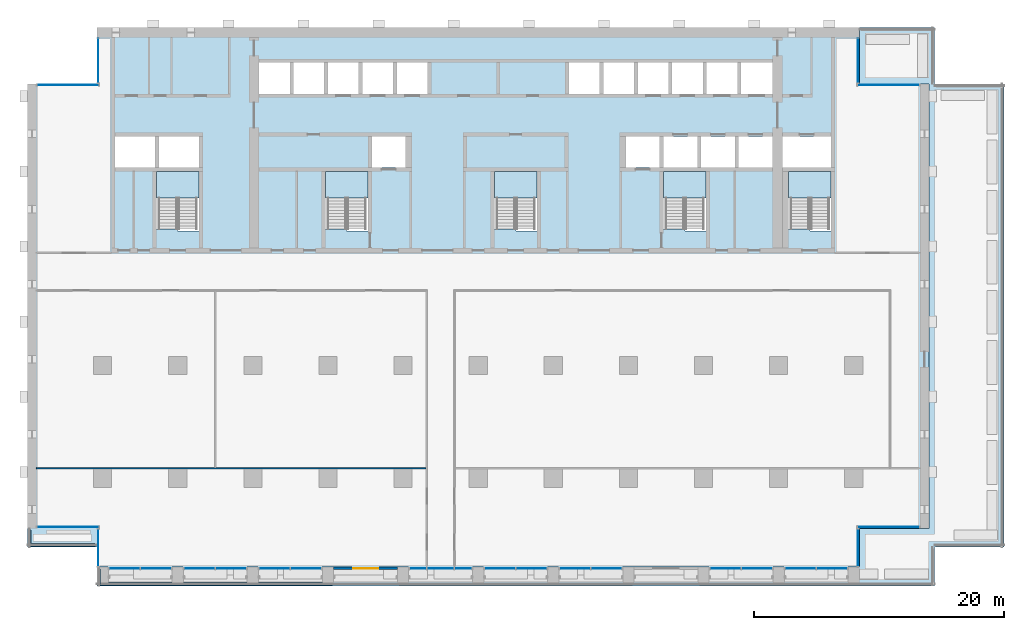
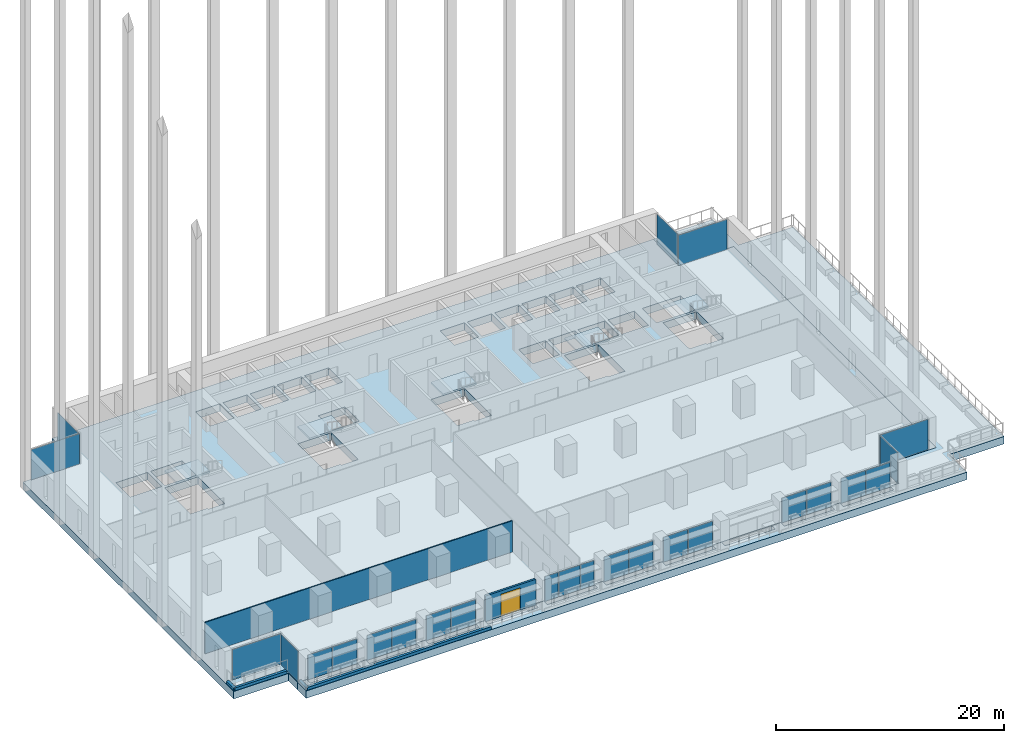
# One storey, part 7 of 18: 25 plates, 7 slabs, 6 walls, 1 door, 1 opening, 21 elements without a shape of their own.
"""IFC4 building model written with IfcOpenShell, lengths in metres."""

from ifc_helpers import new_model, si_unit, direction, frame, frame_2d, origin, origin_2d, place, context, subcontext, project, spatial, polyline, rectangle, outline, extrude, material, layer, layer_set, type_object, element, fill, aggregate, save


model = new_model("IFC4")

# Units and contexts
model_context = context("Model", 3, precision=1e-05, world=origin(), true_north=direction((0.0, 1.0)))
body_context = subcontext(model_context, "Body", "Model", "MODEL_VIEW")
ifc_project = project(units=[si_unit("LENGTHUNIT", "METRE"), si_unit("AREAUNIT", "SQUARE_METRE"), si_unit("VOLUMEUNIT", "CUBIC_METRE"), si_unit("PLANEANGLEUNIT", "RADIAN"), si_unit("MASSUNIT", "GRAM", prefix="KILO")], contexts=[model_context])

# Site, building, storey
site_placement = place(None, origin())
site = spatial("IfcSite", under=ifc_project, at=site_placement, CompositionType="ELEMENT")
building_placement = place(site_placement, origin())
building = spatial("IfcBuilding", under=site, at=building_placement, Name="Calvaro Tower", CompositionType="ELEMENT")
storey_placement = place(building_placement, frame((0.0, 0.0, 95.0)))
storey = spatial("IfcBuildingStorey", under=building, at=storey_placement, Name="L23", CompositionType="ELEMENT", Elevation=95.0)

# Slab
ifc_material_1 = material(Name="Concrete C40/50", Category="concrete")
ifc_layer_1 = layer(ifc_material_1, 0.800048828125)
ifc_layer_set_1 = layer_set([ifc_layer_1], Name="Concrete C40/50")
slab_type_1 = type_object("IfcSlabType", Name="Floor slab 800 C40/50", PredefinedType="FLOOR", material=ifc_layer_set_1)
slab_1_placement = place(storey_placement, frame((0.0, 0.0, -0.800048828125)))
element("IfcSlab", 1, at=slab_1_placement, inside=storey, type_object=slab_type_1, Name="Floor slab", PredefinedType="FLOOR", context=body_context, shape_type="SweptSolid", body=[
    extrude(outline(polyline([(0.0, 6.0), (0.0, 41.5), (5.550048828125, 41.5), (5.550048828125, 46.0), (66.449951171875, 46.0), (66.449951171875, 41.5), (72.0, 41.5), (72.0, 6.0), (66.449951171875, 6.0), (66.449951171875, 2.89990234375), (5.550048828125, 2.89990234375), (5.550048828125, 4.5), (0.0, 4.5), (0.0, 6.0)]), holes=[polyline([(13.699951171875, 34.5), (13.699951171875, 29.760009765625), (12.0, 29.760009765625), (12.0, 29.909912109375), (10.300048828125, 29.909912109375), (10.300048828125, 34.5), (12.0, 34.5), (13.699951171875, 34.5)]), polyline([(27.199951171875, 34.5), (27.199951171875, 29.760009765625), (25.5, 29.760009765625), (25.5, 29.909912109375), (23.800048828125, 29.909912109375), (23.800048828125, 34.5), (25.5, 34.5), (27.199951171875, 34.5)]), polyline([(40.699951171875, 34.5), (40.699951171875, 29.760009765625), (39.0, 29.760009765625), (39.0, 29.909912109375), (37.300048828125, 29.909912109375), (37.300048828125, 34.5), (39.0, 34.5), (40.699951171875, 34.5)]), polyline([(54.199951171875, 34.5), (54.199951171875, 29.760009765625), (52.5, 29.760009765625), (52.5, 29.909912109375), (50.800048828125, 29.909912109375), (50.800048828125, 34.5), (52.5, 34.5), (54.199951171875, 34.5)]), polyline([(64.199951171875, 34.5), (64.199951171875, 29.760009765625), (62.5, 29.760009765625), (62.5, 29.909912109375), (60.800048828125, 29.909912109375), (60.800048828125, 34.5), (62.5, 34.5), (64.199951171875, 34.5)]), polyline([(50.800048828125, 34.800048828125), (53.5, 34.800048828125), (53.5, 37.300048828125), (50.800048828125, 37.300048828125), (50.800048828125, 34.800048828125)]), polyline([(53.800048828125, 34.800048828125), (56.5, 34.800048828125), (56.5, 37.300048828125), (53.800048828125, 37.300048828125), (53.800048828125, 34.800048828125)]), polyline([(56.800048828125, 34.800048828125), (59.5, 34.800048828125), (59.5, 37.300048828125), (56.800048828125, 37.300048828125), (56.800048828125, 34.800048828125)]), polyline([(18.5, 40.699951171875), (20.949951171875, 40.699951171875), (20.949951171875, 43.199951171875), (18.5, 43.199951171875), (18.5, 40.699951171875)]), polyline([(21.25, 40.699951171875), (23.699951171875, 40.699951171875), (23.699951171875, 43.199951171875), (21.25, 43.199951171875), (21.25, 40.699951171875)]), polyline([(24.0, 40.699951171875), (26.449951171875, 40.699951171875), (26.449951171875, 43.199951171875), (24.0, 43.199951171875), (24.0, 40.699951171875)]), polyline([(26.75, 40.699951171875), (29.199951171875, 40.699951171875), (29.199951171875, 43.199951171875), (26.75, 43.199951171875), (26.75, 40.699951171875)]), polyline([(29.5, 40.699951171875), (31.949951171875, 40.699951171875), (31.949951171875, 43.199951171875), (29.5, 43.199951171875), (29.5, 40.699951171875)]), polyline([(43.25, 40.699951171875), (45.699951171875, 40.699951171875), (45.699951171875, 43.199951171875), (43.25, 43.199951171875), (43.25, 40.699951171875)]), polyline([(46.0, 40.699951171875), (48.449951171875, 40.699951171875), (48.449951171875, 43.199951171875), (46.0, 43.199951171875), (46.0, 40.699951171875)]), polyline([(48.75, 40.699951171875), (51.199951171875, 40.699951171875), (51.199951171875, 43.199951171875), (48.75, 43.199951171875), (48.75, 40.699951171875)]), polyline([(51.5, 40.699951171875), (53.949951171875, 40.699951171875), (53.949951171875, 43.199951171875), (51.5, 43.199951171875), (51.5, 40.699951171875)]), polyline([(54.25, 40.699951171875), (56.699951171875, 40.699951171875), (56.699951171875, 43.199951171875), (54.25, 43.199951171875), (54.25, 40.699951171875)]), polyline([(57.0, 40.699951171875), (59.5, 40.699951171875), (59.5, 43.199951171875), (57.0, 43.199951171875), (57.0, 40.699951171875)]), polyline([(7.0, 34.800048828125), (10.199951171875, 34.800048828125), (10.199951171875, 37.300048828125), (7.0, 37.300048828125), (7.0, 34.800048828125)]), polyline([(10.5, 34.800048828125), (13.699951171875, 34.800048828125), (13.699951171875, 37.300048828125), (10.5, 37.300048828125), (10.5, 34.800048828125)]), polyline([(60.300048828125, 34.800048828125), (64.199951171875, 34.800048828125), (64.199951171875, 37.300048828125), (60.300048828125, 37.300048828125), (60.300048828125, 34.800048828125)]), polyline([(27.5, 34.800048828125), (30.199951171875, 34.800048828125), (30.199951171875, 37.300048828125), (27.5, 37.300048828125), (27.5, 34.800048828125)]), polyline([(47.800048828125, 34.800048828125), (50.5, 34.800048828125), (50.5, 37.300048828125), (47.800048828125, 37.300048828125), (47.800048828125, 34.800048828125)])]), origin(), (0.0, 0.0, 1.0), 0.800048828125),
])

# Curtain wall, plates
ifc_material_2 = material(Name="Anodised aluminium", Category="aluminium")
curtain_wall_type = type_object("IfcCurtainWallType", Name="Office curtain wall, middle zone", PredefinedType="NOTDEFINED", material=ifc_material_2)
curtain_wall_1_placement = place(storey_placement, origin())
curtain_wall_1 = element("IfcCurtainWall", 2, at=curtain_wall_1_placement, inside=storey, type_object=curtain_wall_type, Name="CW2 south curtain wall", PredefinedType="NOTDEFINED")
ifc_material_3 = material(Name="Glass", Category="glass")
ifc_layer_2 = layer(ifc_material_3, 0.031982421875)
ifc_layer_set_2 = layer_set([ifc_layer_2], Name="Glass")
plate_type = type_object("IfcPlateType", Name="Glass panel S2 32", PredefinedType="CURTAIN_PANEL", material=ifc_layer_set_2)
plate_1_placement = place(storey_placement, frame((7.742431640625, 2.800048828125, 0.0), z_axis=(0.0, 0.0, 1.0), x_axis=(1.0, 0.0, 0.0)))
plate_1 = element("IfcPlate", 3, at=plate_1_placement, type_object=plate_type, Name="CW2 glass panel 1.1", PredefinedType="CURTAIN_PANEL", context=body_context, shape_type="SweptSolid", body=[
    extrude(rectangle(XDim=2.445068359375, YDim=0.031982421875, at=origin_2d()), origin(), (0.0, 0.0, 1.0), 2.64990234375),
])
plate_2_placement = place(storey_placement, frame((10.257568359375, 2.800048828125, 0.0), z_axis=(0.0, 0.0, 1.0), x_axis=(1.0, 0.0, 0.0)))
plate_2 = element("IfcPlate", 4, at=plate_2_placement, type_object=plate_type, Name="CW2 glass panel 2.1", PredefinedType="CURTAIN_PANEL", context=body_context, shape_type="SweptSolid", body=[
    extrude(rectangle(XDim=2.445068359375, YDim=0.031982421875, at=origin_2d()), origin(), (0.0, 0.0, 1.0), 2.64990234375),
])
aggregate(curtain_wall_1, [plate_1, plate_2])

curtain_wall_2_placement = place(storey_placement, origin())
curtain_wall_2 = element("IfcCurtainWall", 5, at=curtain_wall_2_placement, inside=storey, type_object=curtain_wall_type, Name="CW2 south curtain wall", PredefinedType="NOTDEFINED")
plate_3_placement = place(storey_placement, frame((13.742431640625, 2.800048828125, 0.0), z_axis=(0.0, 0.0, 1.0), x_axis=(1.0, 0.0, 0.0)))
plate_3 = element("IfcPlate", 6, at=plate_3_placement, type_object=plate_type, Name="CW2 glass panel 1.1", PredefinedType="CURTAIN_PANEL", context=body_context, shape_type="SweptSolid", body=[
    extrude(rectangle(XDim=2.445068359375, YDim=0.031982421875, at=origin_2d()), origin(), (0.0, 0.0, 1.0), 2.64990234375),
])
plate_4_placement = place(storey_placement, frame((16.257568359375, 2.800048828125, 0.0), z_axis=(0.0, 0.0, 1.0), x_axis=(1.0, 0.0, 0.0)))
plate_4 = element("IfcPlate", 7, at=plate_4_placement, type_object=plate_type, Name="CW2 glass panel 2.1", PredefinedType="CURTAIN_PANEL", context=body_context, shape_type="SweptSolid", body=[
    extrude(rectangle(XDim=2.445068359375, YDim=0.031982421875, at=origin_2d()), origin(), (0.0, 0.0, 1.0), 2.64990234375),
])
aggregate(curtain_wall_2, [plate_3, plate_4])

curtain_wall_3_placement = place(storey_placement, origin())
curtain_wall_3 = element("IfcCurtainWall", 8, at=curtain_wall_3_placement, inside=storey, type_object=curtain_wall_type, Name="CW2 south curtain wall", PredefinedType="NOTDEFINED")
plate_5_placement = place(storey_placement, frame((19.742431640625, 2.800048828125, 0.0), z_axis=(0.0, 0.0, 1.0), x_axis=(1.0, 0.0, 0.0)))
plate_5 = element("IfcPlate", 9, at=plate_5_placement, type_object=plate_type, Name="CW2 glass panel 1.1", PredefinedType="CURTAIN_PANEL", context=body_context, shape_type="SweptSolid", body=[
    extrude(rectangle(XDim=2.445068359375, YDim=0.031982421875, at=origin_2d()), origin(), (0.0, 0.0, 1.0), 2.64990234375),
])
plate_6_placement = place(storey_placement, frame((22.257568359375, 2.800048828125, 0.0), z_axis=(0.0, 0.0, 1.0), x_axis=(1.0, 0.0, 0.0)))
plate_6 = element("IfcPlate", 10, at=plate_6_placement, type_object=plate_type, Name="CW2 glass panel 2.1", PredefinedType="CURTAIN_PANEL", context=body_context, shape_type="SweptSolid", body=[
    extrude(rectangle(XDim=2.445068359375, YDim=0.031982421875, at=origin_2d()), origin(), (0.0, 0.0, 1.0), 2.64990234375),
])
aggregate(curtain_wall_3, [plate_5, plate_6])

curtain_wall_4_placement = place(storey_placement, origin())
curtain_wall_4 = element("IfcCurtainWall", 11, at=curtain_wall_4_placement, inside=storey, type_object=curtain_wall_type, Name="CW2 south curtain wall", PredefinedType="NOTDEFINED")
plate_7_placement = place(storey_placement, frame((31.1923828125, 2.800048828125, 0.0), z_axis=(0.0, 0.0, 1.0), x_axis=(1.0, 0.0, 0.0)))
plate_7 = element("IfcPlate", 12, at=plate_7_placement, type_object=plate_type, Name="CW2 glass panel 1.1", PredefinedType="CURTAIN_PANEL", context=body_context, shape_type="SweptSolid", body=[
    extrude(rectangle(XDim=1.344970703125, YDim=0.031982421875, at=origin_2d()), origin(), (0.0, 0.0, 1.0), 2.64990234375),
])
plate_8_placement = place(storey_placement, frame((33.0, 2.800048828125, 0.0), z_axis=(0.0, 0.0, 1.0), x_axis=(1.0, 0.0, 0.0)))
plate_8 = element("IfcPlate", 13, at=plate_8_placement, type_object=plate_type, Name="CW2 glass panel 2.1", PredefinedType="CURTAIN_PANEL", context=body_context, shape_type="SweptSolid", body=[
    extrude(rectangle(XDim=2.1298828125, YDim=0.031982421875, at=origin_2d()), origin(), (0.0, 0.0, 1.0), 2.64990234375),
])
plate_9_placement = place(storey_placement, frame((34.8076171875, 2.800048828125, 0.0), z_axis=(0.0, 0.0, 1.0), x_axis=(1.0, 0.0, 0.0)))
plate_9 = element("IfcPlate", 14, at=plate_9_placement, type_object=plate_type, Name="CW2 glass panel 3.1", PredefinedType="CURTAIN_PANEL", context=body_context, shape_type="SweptSolid", body=[
    extrude(rectangle(XDim=1.344970703125, YDim=0.031982421875, at=origin_2d()), origin(), (0.0, 0.0, 1.0), 2.64990234375),
])
aggregate(curtain_wall_4, [plate_7, plate_8, plate_9])

curtain_wall_5_placement = place(storey_placement, origin())
curtain_wall_5 = element("IfcCurtainWall", 15, at=curtain_wall_5_placement, inside=storey, type_object=curtain_wall_type, Name="CW2 south curtain wall", PredefinedType="NOTDEFINED")
plate_10_placement = place(storey_placement, frame((37.742431640625, 2.800048828125, 0.0), z_axis=(0.0, 0.0, 1.0), x_axis=(1.0, 0.0, 0.0)))
plate_10 = element("IfcPlate", 16, at=plate_10_placement, type_object=plate_type, Name="CW2 glass panel 1.1", PredefinedType="CURTAIN_PANEL", context=body_context, shape_type="SweptSolid", body=[
    extrude(rectangle(XDim=2.445068359375, YDim=0.031982421875, at=origin_2d()), origin(), (0.0, 0.0, 1.0), 2.64990234375),
])
plate_11_placement = place(storey_placement, frame((40.257568359375, 2.800048828125, 0.0), z_axis=(0.0, 0.0, 1.0), x_axis=(1.0, 0.0, 0.0)))
plate_11 = element("IfcPlate", 17, at=plate_11_placement, type_object=plate_type, Name="CW2 glass panel 2.1", PredefinedType="CURTAIN_PANEL", context=body_context, shape_type="SweptSolid", body=[
    extrude(rectangle(XDim=2.445068359375, YDim=0.031982421875, at=origin_2d()), origin(), (0.0, 0.0, 1.0), 2.64990234375),
])
aggregate(curtain_wall_5, [plate_10, plate_11])

curtain_wall_6_placement = place(storey_placement, origin())
curtain_wall_6 = element("IfcCurtainWall", 18, at=curtain_wall_6_placement, inside=storey, type_object=curtain_wall_type, Name="CW2 south curtain wall", PredefinedType="NOTDEFINED")
plate_12_placement = place(storey_placement, frame((43.742431640625, 2.800048828125, 0.0), z_axis=(0.0, 0.0, 1.0), x_axis=(1.0, 0.0, 0.0)))
plate_12 = element("IfcPlate", 19, at=plate_12_placement, type_object=plate_type, Name="CW2 glass panel 1.1", PredefinedType="CURTAIN_PANEL", context=body_context, shape_type="SweptSolid", body=[
    extrude(rectangle(XDim=2.445068359375, YDim=0.031982421875, at=origin_2d()), origin(), (0.0, 0.0, 1.0), 2.64990234375),
])
plate_13_placement = place(storey_placement, frame((46.257568359375, 2.800048828125, 0.0), z_axis=(0.0, 0.0, 1.0), x_axis=(1.0, 0.0, 0.0)))
plate_13 = element("IfcPlate", 20, at=plate_13_placement, type_object=plate_type, Name="CW2 glass panel 2.1", PredefinedType="CURTAIN_PANEL", context=body_context, shape_type="SweptSolid", body=[
    extrude(rectangle(XDim=2.445068359375, YDim=0.031982421875, at=origin_2d()), origin(), (0.0, 0.0, 1.0), 2.64990234375),
])
aggregate(curtain_wall_6, [plate_12, plate_13])

curtain_wall_7_placement = place(storey_placement, origin())
curtain_wall_7 = element("IfcCurtainWall", 21, at=curtain_wall_7_placement, inside=storey, type_object=curtain_wall_type, Name="CW2 south curtain wall", PredefinedType="NOTDEFINED")
plate_14_placement = place(storey_placement, frame((55.742431640625, 2.800048828125, 0.0), z_axis=(0.0, 0.0, 1.0), x_axis=(1.0, 0.0, 0.0)))
plate_14 = element("IfcPlate", 22, at=plate_14_placement, type_object=plate_type, Name="CW2 glass panel 1.1", PredefinedType="CURTAIN_PANEL", context=body_context, shape_type="SweptSolid", body=[
    extrude(rectangle(XDim=2.445068359375, YDim=0.031982421875, at=origin_2d()), origin(), (0.0, 0.0, 1.0), 2.64990234375),
])
plate_15_placement = place(storey_placement, frame((58.257568359375, 2.800048828125, 0.0), z_axis=(0.0, 0.0, 1.0), x_axis=(1.0, 0.0, 0.0)))
plate_15 = element("IfcPlate", 23, at=plate_15_placement, type_object=plate_type, Name="CW2 glass panel 2.1", PredefinedType="CURTAIN_PANEL", context=body_context, shape_type="SweptSolid", body=[
    extrude(rectangle(XDim=2.445068359375, YDim=0.031982421875, at=origin_2d()), origin(), (0.0, 0.0, 1.0), 2.64990234375),
])
aggregate(curtain_wall_7, [plate_14, plate_15])

curtain_wall_8_placement = place(storey_placement, origin())
curtain_wall_8 = element("IfcCurtainWall", 24, at=curtain_wall_8_placement, inside=storey, type_object=curtain_wall_type, Name="CW2 south curtain wall", PredefinedType="NOTDEFINED")
plate_16_placement = place(storey_placement, frame((61.742431640625, 2.800048828125, 0.0), z_axis=(0.0, 0.0, 1.0), x_axis=(1.0, 0.0, 0.0)))
plate_16 = element("IfcPlate", 25, at=plate_16_placement, type_object=plate_type, Name="CW2 glass panel 1.1", PredefinedType="CURTAIN_PANEL", context=body_context, shape_type="SweptSolid", body=[
    extrude(rectangle(XDim=2.445068359375, YDim=0.031982421875, at=origin_2d()), origin(), (0.0, 0.0, 1.0), 2.64990234375),
])
plate_17_placement = place(storey_placement, frame((64.257568359375, 2.800048828125, 0.0), z_axis=(0.0, 0.0, 1.0), x_axis=(1.0, 0.0, 0.0)))
plate_17 = element("IfcPlate", 26, at=plate_17_placement, type_object=plate_type, Name="CW2 glass panel 2.1", PredefinedType="CURTAIN_PANEL", context=body_context, shape_type="SweptSolid", body=[
    extrude(rectangle(XDim=2.445068359375, YDim=0.031982421875, at=origin_2d()), origin(), (0.0, 0.0, 1.0), 2.64990234375),
])
aggregate(curtain_wall_8, [plate_16, plate_17])

# Curtain wall, plate
curtain_wall_9_placement = place(storey_placement, origin())
curtain_wall_9 = element("IfcCurtainWall", 27, at=curtain_wall_9_placement, inside=storey, type_object=curtain_wall_type, Name="CW2 corner curtain wall", PredefinedType="NOTDEFINED")
plate_18_placement = place(storey_placement, frame((5.64990234375, 4.449951171875, 0.0), z_axis=(0.0, 0.0, 1.0), x_axis=(0.0, 1.0, 0.0)))
plate_18 = element("IfcPlate", 28, at=plate_18_placement, type_object=plate_type, Name="CW2 glass panel 1.1", PredefinedType="CURTAIN_PANEL", context=body_context, shape_type="SweptSolid", body=[
    extrude(rectangle(XDim=2.9599609375, YDim=0.031982421875, at=origin_2d()), origin(), (0.0, 0.0, 1.0), 3.25),
])
aggregate(curtain_wall_9, [plate_18])

curtain_wall_10_placement = place(storey_placement, origin())
curtain_wall_10 = element("IfcCurtainWall", 29, at=curtain_wall_10_placement, inside=storey, type_object=curtain_wall_type, Name="CW2 corner curtain wall", PredefinedType="NOTDEFINED")
plate_19_placement = place(storey_placement, frame((3.22509765625, 6.10009765625, 0.0), z_axis=(0.0, 0.0, 1.0), x_axis=(1.0, 0.0, 0.0)))
plate_19 = element("IfcPlate", 30, at=plate_19_placement, type_object=plate_type, Name="CW2 glass panel 1.1", PredefinedType="CURTAIN_PANEL", context=body_context, shape_type="SweptSolid", body=[
    extrude(rectangle(XDim=4.909912109375, YDim=0.031982421875, at=origin_2d()), origin(), (0.0, 0.0, 1.0), 3.25),
])
aggregate(curtain_wall_10, [plate_19])

curtain_wall_11_placement = place(storey_placement, origin())
curtain_wall_11 = element("IfcCurtainWall", 31, at=curtain_wall_11_placement, inside=storey, type_object=curtain_wall_type, Name="CW2 corner curtain wall", PredefinedType="NOTDEFINED")
plate_20_placement = place(storey_placement, frame((5.64990234375, 43.35009765625, 0.0), z_axis=(0.0, 0.0, 1.0), x_axis=(0.0, 1.0, 0.0)))
plate_20 = element("IfcPlate", 32, at=plate_20_placement, type_object=plate_type, Name="CW2 glass panel 1.1", PredefinedType="CURTAIN_PANEL", context=body_context, shape_type="SweptSolid", body=[
    extrude(rectangle(XDim=3.56005859375, YDim=0.031982421875, at=origin_2d()), origin(), (0.0, 0.0, 1.0), 3.25),
])
aggregate(curtain_wall_11, [plate_20])

curtain_wall_12_placement = place(storey_placement, origin())
curtain_wall_12 = element("IfcCurtainWall", 33, at=curtain_wall_12_placement, inside=storey, type_object=curtain_wall_type, Name="CW2 corner curtain wall", PredefinedType="NOTDEFINED")
plate_21_placement = place(storey_placement, frame((3.22509765625, 41.39990234375, 0.0), z_axis=(0.0, 0.0, 1.0), x_axis=(1.0, 0.0, 0.0)))
plate_21 = element("IfcPlate", 34, at=plate_21_placement, type_object=plate_type, Name="CW2 glass panel 1.1", PredefinedType="CURTAIN_PANEL", context=body_context, shape_type="SweptSolid", body=[
    extrude(rectangle(XDim=4.909912109375, YDim=0.031982421875, at=origin_2d()), origin(), (0.0, 0.0, 1.0), 3.25),
])
aggregate(curtain_wall_12, [plate_21])

curtain_wall_13_placement = place(storey_placement, origin())
curtain_wall_13 = element("IfcCurtainWall", 35, at=curtain_wall_13_placement, inside=storey, type_object=curtain_wall_type, Name="CW2 corner curtain wall", PredefinedType="NOTDEFINED")
plate_22_placement = place(storey_placement, frame((66.35009765625, 4.449951171875, 0.0), z_axis=(0.0, 0.0, 1.0), x_axis=(0.0, 1.0, 0.0)))
plate_22 = element("IfcPlate", 36, at=plate_22_placement, type_object=plate_type, Name="CW2 glass panel 1.1", PredefinedType="CURTAIN_PANEL", context=body_context, shape_type="SweptSolid", body=[
    extrude(rectangle(XDim=2.9599609375, YDim=0.031982421875, at=origin_2d()), origin(), (0.0, 0.0, 1.0), 3.25),
])
aggregate(curtain_wall_13, [plate_22])

curtain_wall_14_placement = place(storey_placement, origin())
curtain_wall_14 = element("IfcCurtainWall", 37, at=curtain_wall_14_placement, inside=storey, type_object=curtain_wall_type, Name="CW2 corner curtain wall", PredefinedType="NOTDEFINED")
plate_23_placement = place(storey_placement, frame((68.77490234375, 6.10009765625, 0.0), z_axis=(0.0, 0.0, 1.0), x_axis=(1.0, 0.0, 0.0)))
plate_23 = element("IfcPlate", 38, at=plate_23_placement, type_object=plate_type, Name="CW2 glass panel 1.1", PredefinedType="CURTAIN_PANEL", context=body_context, shape_type="SweptSolid", body=[
    extrude(rectangle(XDim=4.909912109375, YDim=0.031982421875, at=origin_2d()), origin(), (0.0, 0.0, 1.0), 3.25),
])
aggregate(curtain_wall_14, [plate_23])

curtain_wall_15_placement = place(storey_placement, origin())
curtain_wall_15 = element("IfcCurtainWall", 39, at=curtain_wall_15_placement, inside=storey, type_object=curtain_wall_type, Name="CW2 corner curtain wall", PredefinedType="NOTDEFINED")
plate_24_placement = place(storey_placement, frame((66.35009765625, 43.35009765625, 0.0), z_axis=(0.0, 0.0, 1.0), x_axis=(0.0, 1.0, 0.0)))
plate_24 = element("IfcPlate", 40, at=plate_24_placement, type_object=plate_type, Name="CW2 glass panel 1.1", PredefinedType="CURTAIN_PANEL", context=body_context, shape_type="SweptSolid", body=[
    extrude(rectangle(XDim=3.56005859375, YDim=0.031982421875, at=origin_2d()), origin(), (0.0, 0.0, 1.0), 3.25),
])
aggregate(curtain_wall_15, [plate_24])

curtain_wall_16_placement = place(storey_placement, origin())
curtain_wall_16 = element("IfcCurtainWall", 41, at=curtain_wall_16_placement, inside=storey, type_object=curtain_wall_type, Name="CW2 corner curtain wall", PredefinedType="NOTDEFINED")
plate_25_placement = place(storey_placement, frame((68.77490234375, 41.39990234375, 0.0), z_axis=(0.0, 0.0, 1.0), x_axis=(1.0, 0.0, 0.0)))
plate_25 = element("IfcPlate", 42, at=plate_25_placement, type_object=plate_type, Name="CW2 glass panel 1.1", PredefinedType="CURTAIN_PANEL", context=body_context, shape_type="SweptSolid", body=[
    extrude(rectangle(XDim=4.909912109375, YDim=0.031982421875, at=origin_2d()), origin(), (0.0, 0.0, 1.0), 3.25),
])
aggregate(curtain_wall_16, [plate_25])

# Stair, slab
ifc_material_4 = material(Name="Concrete C40/50", Category="concrete")
stair_type = type_object("IfcStairType", Name="Exit stair 1400 2 flights", PredefinedType="HALF_TURN_STAIR", material=ifc_material_4)
stair_1_placement = place(storey_placement, origin())
stair_1 = element("IfcStair", 43, at=stair_1_placement, inside=storey, type_object=stair_type, Name="Exit stair S1", PredefinedType="HALF_TURN_STAIR")
ifc_material_5 = material(Name="Concrete C40/50", Category="concrete")
ifc_layer_3 = layer(ifc_material_5, 0.199951171875)
ifc_layer_set_3 = layer_set([ifc_layer_3], Name="Concrete C40/50")
slab_type_2 = type_object("IfcSlabType", Name="Stair landing", PredefinedType="LANDING", material=ifc_layer_set_3)
slab_2_placement = place(storey_placement, frame((0.0, 0.0, 1.675048828125)))
slab_2 = element("IfcSlab", 44, at=slab_2_placement, type_object=slab_type_2, Name="Exit stair 1, landing 1", PredefinedType="LANDING", context=body_context, shape_type="SweptSolid", body=[
    extrude(outline(polyline([(11.89990234375, 32.389892578125), (10.5, 32.389892578125), (10.5, 32.39990234375), (10.300048828125, 32.39990234375), (10.300048828125, 34.5), (10.5, 34.5), (11.89990234375, 34.5), (12.10009765625, 34.5), (13.5, 34.5), (13.699951171875, 34.5), (13.699951171875, 32.39990234375), (13.5, 32.39990234375), (13.5, 32.389892578125), (12.10009765625, 32.389892578125), (12.10009765625, 32.39990234375), (11.89990234375, 32.39990234375), (11.89990234375, 32.389892578125)])), origin(), (0.0, 0.0, 1.0), 0.199951171875),
])
aggregate(stair_1, [slab_2])

stair_2_placement = place(storey_placement, origin())
stair_2 = element("IfcStair", 45, at=stair_2_placement, inside=storey, type_object=stair_type, Name="Exit stair S2", PredefinedType="HALF_TURN_STAIR")
slab_3_placement = place(storey_placement, frame((0.0, 0.0, 1.675048828125)))
slab_3 = element("IfcSlab", 46, at=slab_3_placement, type_object=slab_type_2, Name="Exit stair 2, landing 1", PredefinedType="LANDING", context=body_context, shape_type="SweptSolid", body=[
    extrude(outline(polyline([(25.39990234375, 32.389892578125), (24.0, 32.389892578125), (24.0, 32.39990234375), (23.800048828125, 32.39990234375), (23.800048828125, 34.5), (24.0, 34.5), (25.39990234375, 34.5), (25.60009765625, 34.5), (27.0, 34.5), (27.199951171875, 34.5), (27.199951171875, 32.39990234375), (27.0, 32.39990234375), (27.0, 32.389892578125), (25.60009765625, 32.389892578125), (25.60009765625, 32.39990234375), (25.39990234375, 32.39990234375), (25.39990234375, 32.389892578125)])), origin(), (0.0, 0.0, 1.0), 0.199951171875),
])
aggregate(stair_2, [slab_3])

stair_3_placement = place(storey_placement, origin())
stair_3 = element("IfcStair", 47, at=stair_3_placement, inside=storey, type_object=stair_type, Name="Exit stair S3", PredefinedType="HALF_TURN_STAIR")
slab_4_placement = place(storey_placement, frame((0.0, 0.0, 1.675048828125)))
slab_4 = element("IfcSlab", 48, at=slab_4_placement, type_object=slab_type_2, Name="Exit stair 3, landing 1", PredefinedType="LANDING", context=body_context, shape_type="SweptSolid", body=[
    extrude(outline(polyline([(38.89990234375, 32.389892578125), (37.5, 32.389892578125), (37.5, 32.39990234375), (37.300048828125, 32.39990234375), (37.300048828125, 34.5), (37.5, 34.5), (38.89990234375, 34.5), (39.10009765625, 34.5), (40.5, 34.5), (40.699951171875, 34.5), (40.699951171875, 32.39990234375), (40.5, 32.39990234375), (40.5, 32.389892578125), (39.10009765625, 32.389892578125), (39.10009765625, 32.39990234375), (38.89990234375, 32.39990234375), (38.89990234375, 32.389892578125)])), origin(), (0.0, 0.0, 1.0), 0.199951171875),
])
aggregate(stair_3, [slab_4])

stair_4_placement = place(storey_placement, origin())
stair_4 = element("IfcStair", 49, at=stair_4_placement, inside=storey, type_object=stair_type, Name="Exit stair S4", PredefinedType="HALF_TURN_STAIR")
slab_5_placement = place(storey_placement, frame((0.0, 0.0, 1.675048828125)))
slab_5 = element("IfcSlab", 50, at=slab_5_placement, type_object=slab_type_2, Name="Exit stair 4, landing 1", PredefinedType="LANDING", context=body_context, shape_type="SweptSolid", body=[
    extrude(outline(polyline([(52.39990234375, 32.389892578125), (51.0, 32.389892578125), (51.0, 32.39990234375), (50.800048828125, 32.39990234375), (50.800048828125, 34.5), (51.0, 34.5), (52.39990234375, 34.5), (52.60009765625, 34.5), (54.0, 34.5), (54.199951171875, 34.5), (54.199951171875, 32.39990234375), (54.0, 32.39990234375), (54.0, 32.389892578125), (52.60009765625, 32.389892578125), (52.60009765625, 32.39990234375), (52.39990234375, 32.39990234375), (52.39990234375, 32.389892578125)])), origin(), (0.0, 0.0, 1.0), 0.199951171875),
])
aggregate(stair_4, [slab_5])

stair_5_placement = place(storey_placement, origin())
stair_5 = element("IfcStair", 51, at=stair_5_placement, inside=storey, type_object=stair_type, Name="Exit stair S5", PredefinedType="HALF_TURN_STAIR")
slab_6_placement = place(storey_placement, frame((0.0, 0.0, 1.675048828125)))
slab_6 = element("IfcSlab", 52, at=slab_6_placement, type_object=slab_type_2, Name="Exit stair 5, landing 1", PredefinedType="LANDING", context=body_context, shape_type="SweptSolid", body=[
    extrude(outline(polyline([(62.39990234375, 32.389892578125), (61.0, 32.389892578125), (61.0, 32.39990234375), (60.800048828125, 32.39990234375), (60.800048828125, 34.5), (61.0, 34.5), (62.39990234375, 34.5), (62.60009765625, 34.5), (64.0, 34.5), (64.199951171875, 34.5), (64.199951171875, 32.39990234375), (64.0, 32.39990234375), (64.0, 32.389892578125), (62.60009765625, 32.389892578125), (62.60009765625, 32.39990234375), (62.39990234375, 32.39990234375), (62.39990234375, 32.389892578125)])), origin(), (0.0, 0.0, 1.0), 0.199951171875),
])
aggregate(stair_5, [slab_6])

# Slab
ifc_material_6 = material(Name="Concrete C40/50", Category="concrete")
ifc_layer_4 = layer(ifc_material_6, 0.800048828125)
ifc_layer_set_4 = layer_set([ifc_layer_4], Name="Concrete C40/50")
slab_type_3 = type_object("IfcSlabType", Name="Terrace slab 800 C40/50", PredefinedType="ROOF", material=ifc_layer_set_4)
slab_7_placement = place(storey_placement, frame((0.0, 0.0, -0.800048828125)))
element("IfcSlab", 53, at=slab_7_placement, inside=storey, type_object=slab_type_3, Name="Terrace slab", PredefinedType="ROOF", context=body_context, shape_type="SweptSolid", body=[
    extrude(outline(polyline([(5.550048828125, 1.39990234375), (5.550048828125, 2.89990234375), (6.449951171875, 2.89990234375), (6.449951171875, 2.25), (11.550048828125, 2.25), (11.550048828125, 2.89990234375), (12.449951171875, 2.89990234375), (12.449951171875, 2.25), (17.550048828125, 2.25), (17.550048828125, 2.89990234375), (18.449951171875, 2.89990234375), (18.449951171875, 2.25), (23.550048828125, 2.25), (23.550048828125, 2.89990234375), (24.449951171875, 2.89990234375), (24.449951171875, 2.25), (29.550048828125, 2.25), (29.550048828125, 2.89990234375), (30.449951171875, 2.89990234375), (30.449951171875, 2.25), (35.550048828125, 2.25), (35.550048828125, 2.89990234375), (36.449951171875, 2.89990234375), (36.449951171875, 2.25), (41.550048828125, 2.25), (41.550048828125, 2.89990234375), (42.449951171875, 2.89990234375), (42.449951171875, 2.25), (47.550048828125, 2.25), (47.550048828125, 2.89990234375), (48.449951171875, 2.89990234375), (48.449951171875, 2.25), (53.550048828125, 2.25), (53.550048828125, 2.89990234375), (54.449951171875, 2.89990234375), (54.449951171875, 2.25), (59.550048828125, 2.25), (59.550048828125, 2.89990234375), (60.449951171875, 2.89990234375), (60.449951171875, 2.25), (65.550048828125, 2.25), (65.550048828125, 2.89990234375), (66.449951171875, 2.89990234375), (66.449951171875, 6.0), (72.0, 6.0), (72.0, 41.5), (66.449951171875, 41.5), (66.449951171875, 46.0), (72.449951171875, 46.0), (72.449951171875, 41.5), (78.0, 41.5), (78.0, 4.5), (72.449951171875, 4.5), (72.449951171875, 1.39990234375), (5.550048828125, 1.39990234375)])), origin(), (0.0, 0.0, 1.0), 0.800048828125),
])

# Wall, opening, door
ifc_material_7 = material(Name="Anodised aluminium", Category="aluminium")
ifc_layer_5 = layer(ifc_material_7, 0.199951171875)
ifc_layer_set_5 = layer_set([ifc_layer_5], Name="Anodised aluminium")
wall_type_1 = type_object("IfcWallType", Name="Insulated door wall 200", PredefinedType="SOLIDWALL", material=ifc_layer_set_5)
wall_1_placement = place(storey_placement, frame((24.449951171875, 2.800048828125, 0.0), z_axis=(0.0, 0.0, 1.0), x_axis=(1.0, 0.0, 0.0)))
wall_1 = element("IfcWall", 54, at=wall_1_placement, inside=storey, type_object=wall_type_1, Name="Door wall", PredefinedType="SOLIDWALL", context=body_context, shape_type="SweptSolid", body=[
    extrude(rectangle(XDim=5.10009765625, YDim=0.199951171875, at=frame_2d((2.550048828125, 0.0))), origin(), (0.0, 0.0, 1.0), 2.75),
])
opening_placement = place(wall_1_placement, frame((1.550048828125, 0.0, 0.0)))
opening = element("IfcOpeningElement", 55, at=opening_placement, cuts=wall_1, Name="Opening DT13", PredefinedType="OPENING", context=body_context, shape_type="SweptSolid", body=[
    extrude(rectangle(XDim=2.0, YDim=2.39990234375, at=frame_2d((1.0, 1.199951171875))), frame((0.0, 0.10986328125, 0.0), z_axis=(0.0, -1.0, 0.0), x_axis=(1.0, 0.0, 0.0)), (0.0, 0.0, 1.0), 0.219970703125),
])
ifc_material_8 = material(Name="Glass", Category="glass")
door_type = type_object("IfcDoorType", Name="Terrace door pair 2000 x 2400", OperationType="DOUBLE_DOOR_SINGLE_SWING", PredefinedType="DOOR", material=ifc_material_8)
door_placement = place(opening_placement, frame((2.0, 0.0, 0.0), z_axis=(0.0, 0.0, 1.0), x_axis=(-1.0, 0.0, 0.0)))
door = element("IfcDoor", 56, at=door_placement, inside=storey, type_object=door_type, Name="Terrace door", OperationType="DOUBLE_DOOR_SINGLE_SWING", OverallHeight=2.39990234375, OverallWidth=2.0, PredefinedType="DOOR", context=body_context, shape_type="SweptSolid", body=[
    extrude(rectangle(XDim=2.0, YDim=2.39990234375, at=frame_2d((1.0, 1.199951171875))), frame((0.0, 0.02490234375, 0.0), z_axis=(0.0, -1.0, 0.0), x_axis=(1.0, 0.0, 0.0)), (0.0, 0.0, 1.0), 0.050048828125),
])
fill(opening, door)

# Walls
ifc_material_9 = material(Name="Plasterboard on steel studs", Category="steel")
ifc_layer_6 = layer(ifc_material_9, 0.10009765625)
ifc_layer_set_6 = layer_set([ifc_layer_6], Name="Plasterboard on steel studs")
wall_type_2 = type_object("IfcWallType", Name="Partition 100", PredefinedType="PARTITIONING", material=ifc_layer_set_6)
wall_2_placement = place(storey_placement, frame((0.699951171875, 10.800048828125, 0.0), z_axis=(0.0, 0.0, 1.0), x_axis=(1.0, 0.0, 0.0)))
element("IfcWall", 57, at=wall_2_placement, inside=storey, type_object=wall_type_2, Name="Partition T41.W001", PredefinedType="PARTITIONING", context=body_context, shape_type="SweptSolid", body=[
    extrude(rectangle(XDim=31.150146484375, YDim=0.10009765625, at=frame_2d((15.5751953125, 0.0))), origin(), (0.0, 0.0, 1.0), 3.35009765625),
])
ifc_material_10 = material(Name="Concrete C40/50", Category="concrete")
ifc_layer_7 = layer(ifc_material_10, 0.199951171875, Name="Structure")
ifc_material_11 = material(Name="Reconstituted stone coping")
ifc_layer_8 = layer(ifc_material_11, 0.050048828125, Name="Finish")
ifc_layer_set_7 = layer_set([ifc_layer_7, ifc_layer_8], Name="Concrete C40/50")
wall_type_3 = type_object("IfcWallType", Name="Terrace edge kerb 250", PredefinedType="PARAPET", material=ifc_layer_set_7)
wall_3_placement = place(storey_placement, frame((5.405029296875, 4.64990234375, 0.0), z_axis=(0.0, 0.0, 1.0), x_axis=(-1.0, 0.0, 0.0)))
element("IfcWall", 58, at=wall_3_placement, inside=storey, type_object=wall_type_3, Name="Terrace edge kerb", PredefinedType="PARAPET", context=body_context, shape_type="SweptSolid", body=[
    extrude(rectangle(XDim=5.280029296875, YDim=0.25, at=frame_2d((2.64013671875, 0.0))), origin(), (0.0, 0.0, 1.0), 0.300048828125),
])
for number, where, z_axis, x_axis, name in (
    (59, (0.14990234375, 4.625, 0.0), (0.0, 0.0, 1.0), (0.0, 1.0, 0.0), "Terrace edge kerb"),
    (60, (5.699951171875, 1.52490234375, 0.0), (0.0, 0.0, 1.0), (0.0, 1.0, 0.0), "Terrace edge kerb"),
):
    element("IfcWall", number, at=place(storey_placement, frame(where, z_axis=z_axis, x_axis=x_axis)), inside=storey, type_object=wall_type_3, Name=name, PredefinedType="PARAPET", context=body_context, shape_type="SweptSolid", body=[
        extrude(rectangle(XDim=1.22998046875, YDim=0.25, at=frame_2d((0.614990234375, 0.0))), origin(), (0.0, 0.0, 1.0), 0.300048828125),
    ])
wall_4_placement = place(storey_placement, frame((5.675048828125, 1.550048828125, 0.0), z_axis=(0.0, 0.0, 1.0), x_axis=(1.0, 0.0, 0.0)))
element("IfcWall", 61, at=wall_4_placement, inside=storey, type_object=wall_type_3, Name="Terrace edge kerb", PredefinedType="PARAPET", context=body_context, shape_type="SweptSolid", body=[
    extrude(rectangle(XDim=18.64990234375, YDim=0.25, at=frame_2d((9.324951171875, 0.0))), origin(), (0.0, 0.0, 1.0), 0.300048828125),
])

save(model, "model.ifc")
